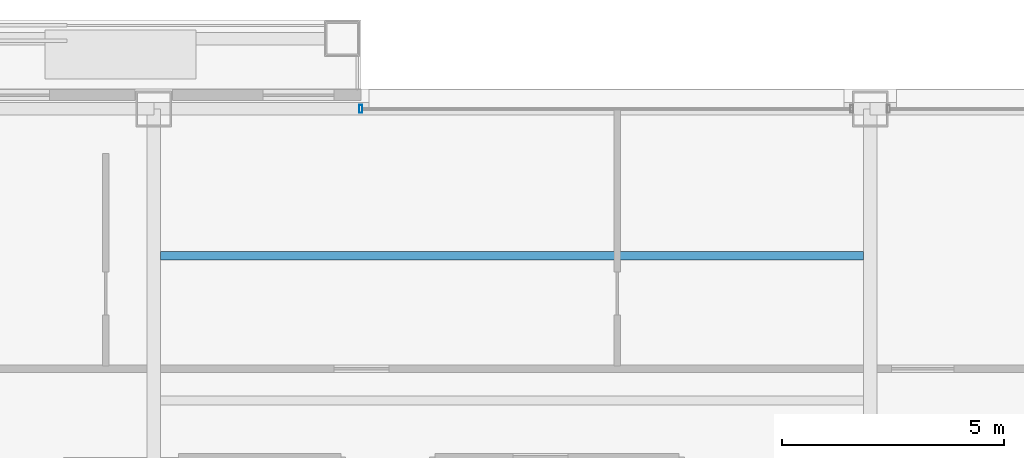
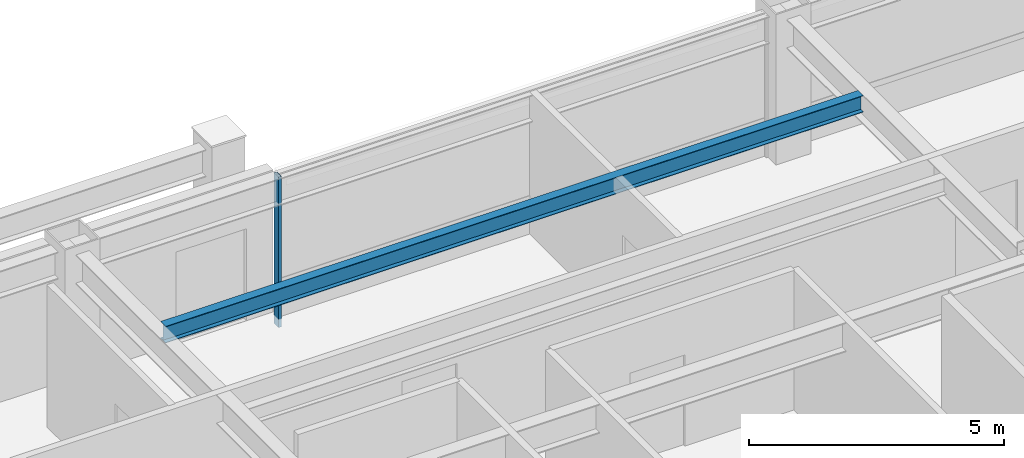
# One storey, part 21 of 33: 1 beam, 1 member, 1 element without a shape of its own.
"""IFC4 building model written with IfcOpenShell, lengths in metres."""

from ifc_helpers import new_model, si_unit, direction, frame, origin, origin_2d, place, context, subcontext, project, spatial, hollow_rectangle, i_section, extrude, material, layer, layer_set, material_profile, profile_set, type_object, element, aggregate, save


model = new_model("IFC4")

# Units and contexts
model_context = context("Model", 3, precision=1e-05, world=origin(), true_north=direction((0.0, 1.0)))
body_context = subcontext(model_context, "Body", "Model", "MODEL_VIEW")
ifc_project = project(units=[si_unit("LENGTHUNIT", "METRE"), si_unit("AREAUNIT", "SQUARE_METRE"), si_unit("VOLUMEUNIT", "CUBIC_METRE"), si_unit("PLANEANGLEUNIT", "RADIAN"), si_unit("MASSUNIT", "GRAM", prefix="KILO")], contexts=[model_context])

# Site, building, storey
site_placement = place(None, origin())
site = spatial("IfcSite", under=ifc_project, at=site_placement, CompositionType="ELEMENT")
building_placement = place(site_placement, origin())
building = spatial("IfcBuilding", under=site, at=building_placement, Name="Brelmoor Portico Tower", CompositionType="ELEMENT")
storey_placement = place(building_placement, frame((0.0, 0.0, 120.60009765625)))
storey = spatial("IfcBuildingStorey", under=building, at=storey_placement, Name="L31", CompositionType="ELEMENT", Elevation=120.60009765625)

# Beam
ifc_material_1 = material(Name="Steel Q355B", Category="steel")
ifc_material_profile_1 = material_profile(ifc_material_1, i_section(OverallWidth=0.199951171875, OverallDepth=0.39990234375, WebThickness=0.008056640625, FlangeThickness=0.012939453125, at=origin_2d()), Name="HN 400x200x8x13")
ifc_profile_set_1 = profile_set([ifc_material_profile_1], Name="Steel Q355B")
beam_type = type_object("IfcBeamType", Name="BM-JS-400", PredefinedType="JOIST", material=ifc_profile_set_1)
beam_placement = place(storey_placement, frame((-7.89990234375, 16.25, 3.199951171875), z_axis=(1.0, 0.0, 0.0), x_axis=(0.0, 1.0, 0.0)))
element("IfcBeam", 1, at=beam_placement, inside=storey, type_object=beam_type, Name="L31 Secondary Composite Joist JS-C04", PredefinedType="JOIST", context=body_context, shape_type="SweptSolid", body=[
    extrude(i_section(OverallWidth=0.199951171875, OverallDepth=0.39990234375, WebThickness=0.008056640625, FlangeThickness=0.012939453125, at=origin_2d()), origin(), (0.0, 0.0, 1.0), 15.7998046875),
])

# Curtain wall, member
ifc_material_2 = material(Name="Anodised Aluminium Alloy 6063-T6", Category="aluminium")
ifc_layer = layer(ifc_material_2, 0.179931640625)
ifc_layer_set = layer_set([ifc_layer], Name="Anodised Aluminium Alloy 6063-T6")
curtain_wall_type = type_object("IfcCurtainWallType", Name="CW-TOWER-Z2", PredefinedType="NOTDEFINED", material=ifc_layer_set)
curtain_wall_placement = place(storey_placement, origin())
curtain_wall = element("IfcCurtainWall", 2, at=curtain_wall_placement, inside=storey, type_object=curtain_wall_type, Name="L31 Curtain Wall CW-L31-2R-1", PredefinedType="NOTDEFINED")
ifc_material_profile_2 = material_profile(ifc_material_2, hollow_rectangle(XDim=0.06494140625, YDim=0.179931640625, WallThickness=0.00390625, at=origin_2d()), Name="ALU MULLION 65x180")
ifc_profile_set_2 = profile_set([ifc_material_profile_2], Name="Anodised Aluminium Alloy 6063-T6")
member_type = type_object("IfcMemberType", Name="MB-CW-MULL-180", PredefinedType="MULLION", material=ifc_profile_set_2)
member_placement = place(storey_placement, frame((-3.39990234375, 19.550048828125, -0.2001953125), z_axis=(0.0, 0.0, 1.0), x_axis=(1.0, 0.0, 0.0)))
member = element("IfcMember", 3, at=member_placement, type_object=member_type, Name="CW-L31-2R-1 Mullion 00", PredefinedType="MULLION", context=body_context, shape_type="SweptSolid", body=[
    extrude(hollow_rectangle(XDim=0.06494140625, YDim=0.179931640625, WallThickness=0.00390625, at=origin_2d()), origin(), (0.0, 0.0, 1.0), 3.60009765625),
])
aggregate(curtain_wall, [member])

save(model, "model.ifc")
